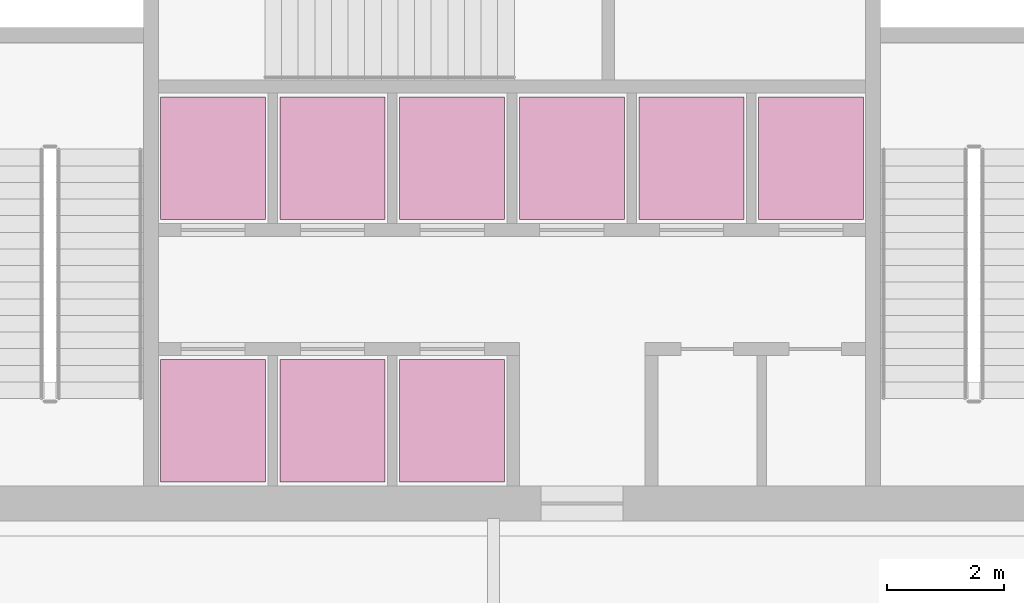
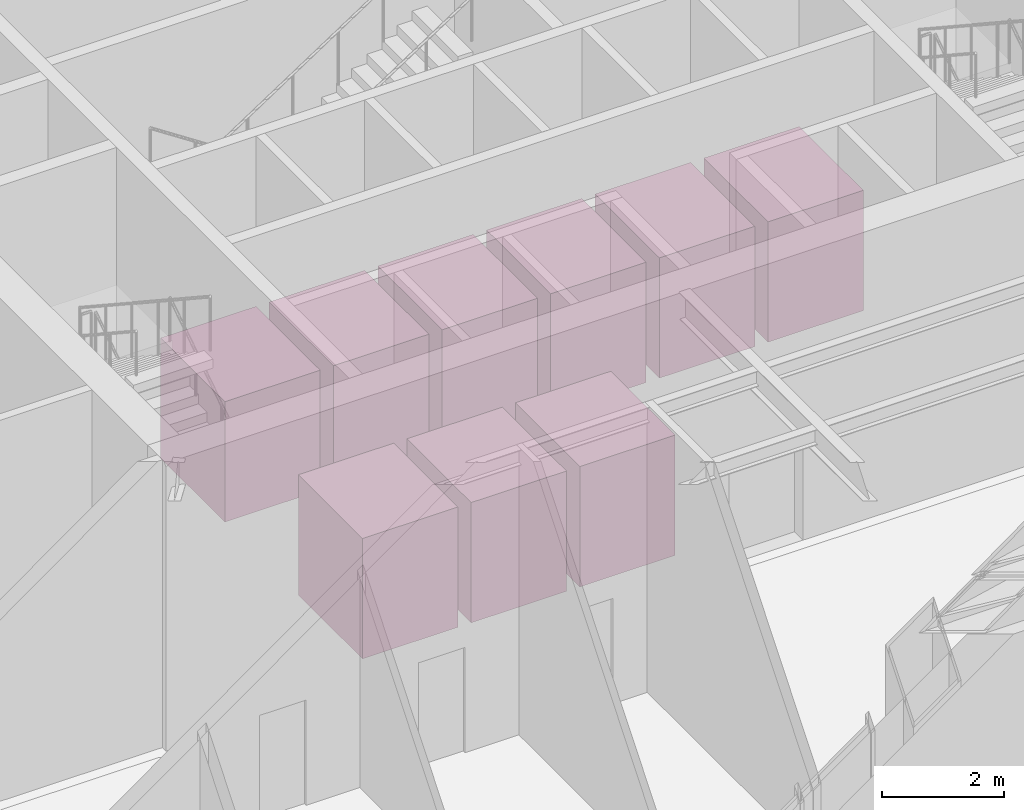
# One storey, part 20 of 20: 9 transport elements.
"""IFC4 building model written with IfcOpenShell, lengths in metres."""

from ifc_helpers import new_model, si_unit, direction, frame, origin, origin_2d, place, context, subcontext, project, spatial, rectangle, extrude, material, type_object, element, save


model = new_model("IFC4")

# Units and contexts
model_context = context("Model", 3, precision=1e-05, world=origin(), true_north=direction((0.0, 1.0)))
body_context = subcontext(model_context, "Body", "Model", "MODEL_VIEW")
ifc_project = project(units=[si_unit("LENGTHUNIT", "METRE"), si_unit("AREAUNIT", "SQUARE_METRE"), si_unit("VOLUMEUNIT", "CUBIC_METRE"), si_unit("PLANEANGLEUNIT", "RADIAN"), si_unit("MASSUNIT", "GRAM", prefix="KILO")], contexts=[model_context])

# Site, building, storey
site_placement = place(None, origin())
site = spatial("IfcSite", under=ifc_project, at=site_placement, CompositionType="ELEMENT")
building_placement = place(site_placement, origin())
building = spatial("IfcBuilding", under=site, at=building_placement, Name="Kavelnor Concourse Tower", CompositionType="ELEMENT")
storey_placement = place(building_placement, origin())
storey = spatial("IfcBuildingStorey", under=building, at=storey_placement, Name="L00", CompositionType="ELEMENT", Elevation=0.0)

# Transport elements
ifc_material = material(Name="Steel Grade 350", Category="steel")
transport_element_type = type_object("IfcTransportElementType", Name="LFT-PASS-1800x2100", PredefinedType="ELEVATOR", material=ifc_material)
for number, where, z_axis, x_axis, name in (
    (1, (32.875, 15.219970703125, 0.0), (0.0, 0.0, 1.0), (1.0, 0.0, 0.0), "Lift LP1 (LOW)"),
    (2, (34.925048828125, 15.219970703125, 0.0), (0.0, 0.0, 1.0), (1.0, 0.0, 0.0), "Lift LP2 (LOW)"),
    (3, (36.97509765625, 15.219970703125, 0.0), (0.0, 0.0, 1.0), (1.0, 0.0, 0.0), "Lift LP3 (LOW)"),
    (4, (39.02490234375, 15.219970703125, 0.0), (0.0, 0.0, 1.0), (1.0, 0.0, 0.0), "Lift LP4 (MID)"),
    (5, (41.074951171875, 15.219970703125, 0.0), (0.0, 0.0, 1.0), (1.0, 0.0, 0.0), "Lift LP5 (MID)"),
    (6, (43.125, 15.219970703125, 0.0), (0.0, 0.0, 1.0), (1.0, 0.0, 0.0), "Lift LP6 (MID)"),
    (7, (32.875, 10.719970703125, 0.0), (0.0, 0.0, 1.0), (1.0, 0.0, 0.0), "Lift LP7 (HIGH)"),
    (8, (34.925048828125, 10.719970703125, 0.0), (0.0, 0.0, 1.0), (1.0, 0.0, 0.0), "Lift LP8 (HIGH)"),
    (9, (36.97509765625, 10.719970703125, 0.0), (0.0, 0.0, 1.0), (1.0, 0.0, 0.0), "Lift LP9 (HIGH)"),
):
    element("IfcTransportElement", number, at=place(storey_placement, frame(where, z_axis=z_axis, x_axis=x_axis)), inside=storey, type_object=transport_element_type, Name=name, PredefinedType="ELEVATOR", context=body_context, shape_type="SweptSolid", body=[
        extrude(rectangle(XDim=1.800048828125, YDim=2.10009765625, at=origin_2d()), origin(), (0.0, 0.0, 1.0), 2.39990234375),
    ])

save(model, "model.ifc")
